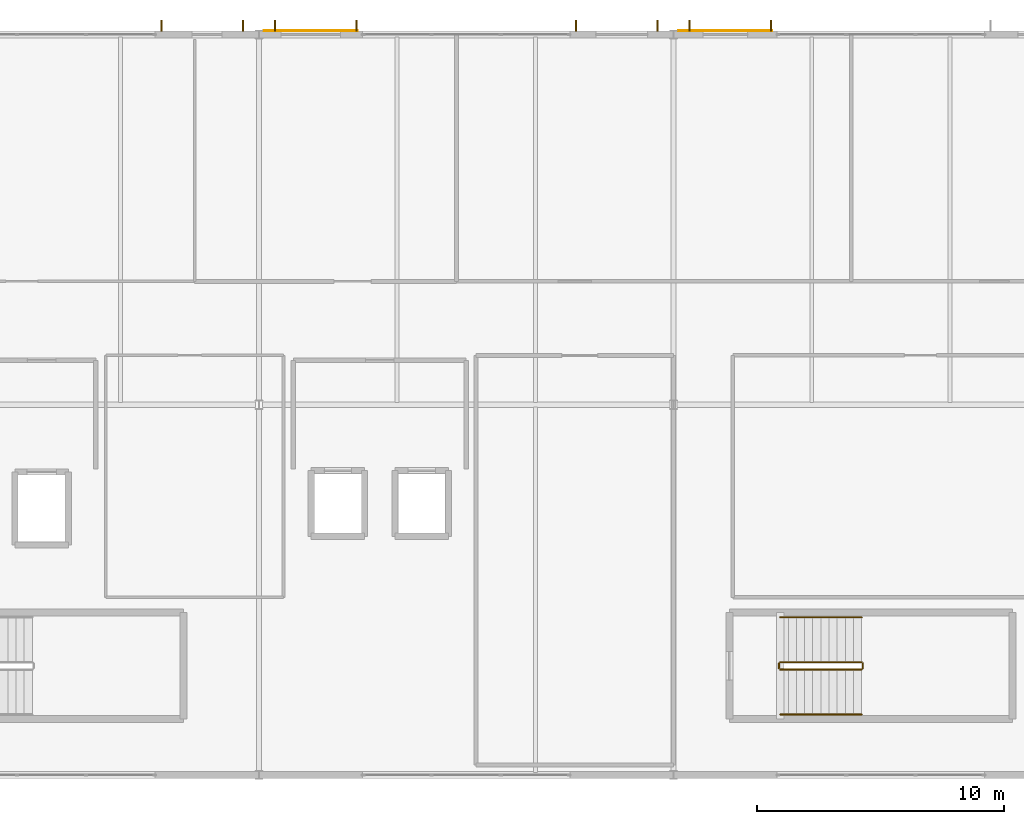
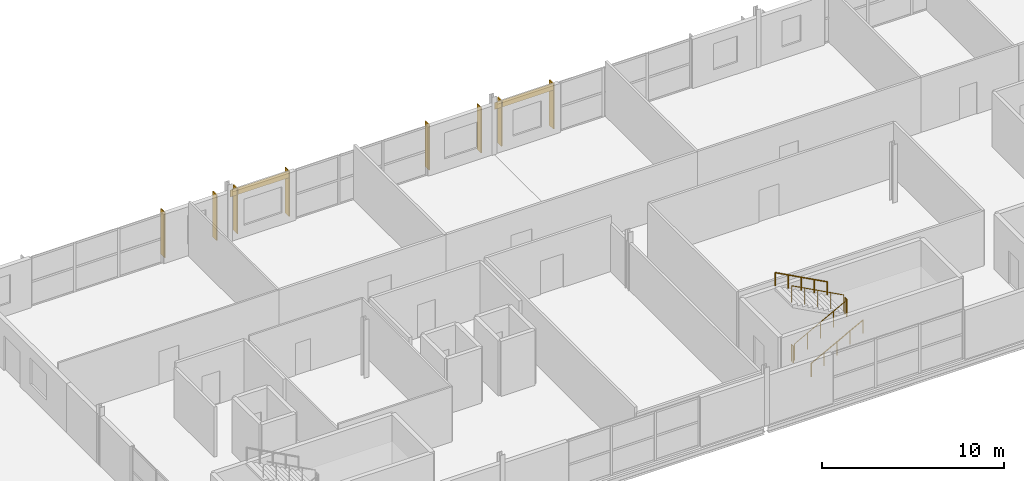
# One storey, part 17 of 18: 8 shading devices, 6 railings, 2 coverings.
"""IFC4 building model written with IfcOpenShell, lengths in metres."""

from ifc_helpers import new_model, si_unit, direction, frame, origin, origin_2d, place, context, subcontext, project, spatial, rectangle, circle, extrude, material, layer, layer_set, type_object, element, save


model = new_model("IFC4")

# Units and contexts
model_context = context("Model", 3, precision=1e-05, world=origin(), true_north=direction((0.0, 1.0)))
body_context = subcontext(model_context, "Body", "Model", "MODEL_VIEW")
ifc_project = project(units=[si_unit("LENGTHUNIT", "METRE"), si_unit("AREAUNIT", "SQUARE_METRE"), si_unit("VOLUMEUNIT", "CUBIC_METRE"), si_unit("PLANEANGLEUNIT", "RADIAN"), si_unit("MASSUNIT", "GRAM", prefix="KILO")], contexts=[model_context])

# Site, building, storey
site_placement = place(None, origin())
site = spatial("IfcSite", under=ifc_project, at=site_placement, CompositionType="ELEMENT")
building_placement = place(site_placement, origin())
building = spatial("IfcBuilding", under=site, at=building_placement, Name="Kimbaza Rail Terminus", CompositionType="ELEMENT")
storey_placement = place(building_placement, frame((0.0, 0.0, 24.89990234375)))
storey = spatial("IfcBuildingStorey", under=building, at=storey_placement, Name="L05", CompositionType="ELEMENT", Elevation=24.89990234375)

# Coverings
ifc_material_1 = material(Name="Champagne anodised aluminium spandrel cladding", Category="aluminium")
ifc_layer = layer(ifc_material_1, 0.034912109375)
ifc_layer_set = layer_set([ifc_layer], Name="Champagne anodised aluminium spandrel cladding")
covering_type = type_object("IfcCoveringType", Name="ARC-COV-CLD1", PredefinedType="CLADDING", material=ifc_layer_set)
for number, where, z_axis, x_axis, name in (
    (1, (90.89990234375, 133.156005859375, 2.77490234375), (0.0, 0.0, 1.0), (1.0, 0.0, 0.0), "North Spandrel Cladding L05 Bay 2"),
    (2, (107.699951171875, 133.156005859375, 2.77490234375), (0.0, 0.0, 1.0), (1.0, 0.0, 0.0), "North Spandrel Cladding L05 Bay 3"),
):
    element("IfcCovering", number, at=place(storey_placement, frame(where, z_axis=z_axis, x_axis=x_axis)), inside=storey, type_object=covering_type, Name=name, PredefinedType="CLADDING", context=body_context, shape_type="SweptSolid", body=[
        extrude(rectangle(XDim=3.800048828125, YDim=0.034912109375, at=origin_2d()), origin(), (0.0, 0.0, 1.0), 0.449951171875),
    ])

# Railings
ifc_material_2 = material(Name="Brushed stainless steel handrail", Category="steel")
railing_type_1 = type_object("IfcRailingType", Name="ARC-RL-HND92", PredefinedType="HANDRAIL", material=ifc_material_2)
railing_1_placement = place(storey_placement, frame((109.919921875, 105.449951171875, 0.177490234375)))
element("IfcRailing", 3, at=railing_1_placement, inside=storey, type_object=railing_type_1, Name="L05 ST-M1 stair handrail 1", PredefinedType="HANDRAIL", context=body_context, shape_type="SweptSolid", body=[
    extrude(circle(Radius=0.02392578125, at=origin_2d()), frame((0.0, 0.0, 0.8759765625), z_axis=(0.880943614595, 0.0, 0.473221246251), x_axis=(0.0, 1.0, 0.0)), (0.0, 0.0, 1.0), 3.74609375),
    extrude(circle(Radius=0.02099609375, at=origin_2d()), origin(), (0.0, 0.0, 1.0), 0.851806640625),
    extrude(circle(Radius=0.02099609375, at=origin_2d()), frame((0.824951171875, 0.0, 0.443115234375)), (0.0, 0.0, 1.0), 0.851806640625),
    extrude(circle(Radius=0.02099609375, at=origin_2d()), frame((1.64990234375, 0.0, 0.88623046875)), (0.0, 0.0, 1.0), 0.851806640625),
    extrude(circle(Radius=0.02099609375, at=origin_2d()), frame((2.47509765625, 0.0, 1.32958984375)), (0.0, 0.0, 1.0), 0.851806640625),
    extrude(circle(Radius=0.02099609375, at=origin_2d()), frame((3.300048828125, 0.0, 1.772705078125)), (0.0, 0.0, 1.0), 0.851806640625),
])
railing_2_placement = place(storey_placement, frame((113.219970703125, 109.389892578125, 2.12744140625)))
element("IfcRailing", 4, at=railing_2_placement, inside=storey, type_object=railing_type_1, Name="L05 ST-M1 stair handrail 2", PredefinedType="HANDRAIL", context=body_context, shape_type="SweptSolid", body=[
    extrude(circle(Radius=0.02392578125, at=origin_2d()), frame((0.0, 0.0, 0.8759765625), z_axis=(-0.880943614595, 0.0, 0.473221246251), x_axis=(0.0, -1.0, 0.0)), (0.0, 0.0, 1.0), 3.74609375),
    extrude(circle(Radius=0.02099609375, at=origin_2d()), origin(), (0.0, 0.0, 1.0), 0.851806640625),
    extrude(circle(Radius=0.02099609375, at=origin_2d()), frame((-0.824951171875, 0.0, 0.443115234375)), (0.0, 0.0, 1.0), 0.851806640625),
    extrude(circle(Radius=0.02099609375, at=origin_2d()), frame((-1.64990234375, 0.0, 0.88623046875)), (0.0, 0.0, 1.0), 0.851806640625),
    extrude(circle(Radius=0.02099609375, at=origin_2d()), frame((-2.47509765625, 0.0, 1.32958984375)), (0.0, 0.0, 1.0), 0.851806640625),
    extrude(circle(Radius=0.02099609375, at=origin_2d()), frame((-3.300048828125, 0.0, 1.772705078125)), (0.0, 0.0, 1.0), 0.851806640625),
])
ifc_material_3 = material(Name="Painted tubular steel stair well guard", Category="steel")
railing_type_2 = type_object("IfcRailingType", Name="ARC-RL-STGRD", PredefinedType="GUARDRAIL", material=ifc_material_3)
railing_3_placement = place(storey_placement, frame((109.919921875, 107.27001953125, 0.177490234375)))
element("IfcRailing", 5, at=railing_3_placement, inside=storey, type_object=railing_type_2, Name="L05 ST-M1 stair guard 1", PredefinedType="GUARDRAIL", context=body_context, shape_type="SweptSolid", body=[
    extrude(circle(Radius=0.02392578125, at=origin_2d()), frame((0.0, 0.0, 1.09619140625), z_axis=(0.880943614595, 0.0, 0.473221246251), x_axis=(0.0, 1.0, 0.0)), (0.0, 0.0, 1.0), 3.74609375),
    extrude(circle(Radius=0.02099609375, at=origin_2d()), origin(), (0.0, 0.0, 1.0), 1.072021484375),
    extrude(circle(Radius=0.02099609375, at=origin_2d()), frame((0.824951171875, 0.0, 0.443115234375)), (0.0, 0.0, 1.0), 1.072021484375),
    extrude(circle(Radius=0.02099609375, at=origin_2d()), frame((1.64990234375, 0.0, 0.88623046875)), (0.0, 0.0, 1.0), 1.072021484375),
    extrude(circle(Radius=0.02099609375, at=origin_2d()), frame((2.47509765625, 0.0, 1.32958984375)), (0.0, 0.0, 1.0), 1.072021484375),
    extrude(circle(Radius=0.02099609375, at=origin_2d()), frame((3.300048828125, 0.0, 1.772705078125)), (0.0, 0.0, 1.0), 1.072021484375),
])
railing_4_placement = place(storey_placement, frame((113.27001953125, 107.320068359375, 1.9501953125)))
element("IfcRailing", 6, at=railing_4_placement, inside=storey, type_object=railing_type_2, Name="L05 ST-M1 stair guard 2", PredefinedType="GUARDRAIL", context=body_context, shape_type="SweptSolid", body=[
    extrude(circle(Radius=0.02392578125, at=origin_2d()), frame((0.0, 0.0, 1.09619140625), z_axis=(0.0, 1.0, 0.0), x_axis=(-1.0, 0.0, 0.0)), (0.0, 0.0, 1.0), 0.199951171875),
    extrude(circle(Radius=0.02099609375, at=origin_2d()), origin(), (0.0, 0.0, 1.0), 1.072021484375),
    extrude(circle(Radius=0.02099609375, at=origin_2d()), frame((0.0, 0.199951171875, 0.0)), (0.0, 0.0, 1.0), 1.072021484375),
])
railing_5_placement = place(storey_placement, frame((113.219970703125, 107.570068359375, 2.12744140625)))
element("IfcRailing", 7, at=railing_5_placement, inside=storey, type_object=railing_type_2, Name="L05 ST-M1 stair guard 3", PredefinedType="GUARDRAIL", context=body_context, shape_type="SweptSolid", body=[
    extrude(circle(Radius=0.02392578125, at=origin_2d()), frame((0.0, 0.0, 1.09619140625), z_axis=(-0.880943614595, 0.0, 0.473221246251), x_axis=(0.0, -1.0, 0.0)), (0.0, 0.0, 1.0), 3.74609375),
    extrude(circle(Radius=0.02099609375, at=origin_2d()), origin(), (0.0, 0.0, 1.0), 1.072021484375),
    extrude(circle(Radius=0.02099609375, at=origin_2d()), frame((-0.824951171875, 0.0, 0.443115234375)), (0.0, 0.0, 1.0), 1.072021484375),
    extrude(circle(Radius=0.02099609375, at=origin_2d()), frame((-1.64990234375, 0.0, 0.88623046875)), (0.0, 0.0, 1.0), 1.072021484375),
    extrude(circle(Radius=0.02099609375, at=origin_2d()), frame((-2.47509765625, 0.0, 1.32958984375)), (0.0, 0.0, 1.0), 1.072021484375),
    extrude(circle(Radius=0.02099609375, at=origin_2d()), frame((-3.300048828125, 0.0, 1.772705078125)), (0.0, 0.0, 1.0), 1.072021484375),
])
railing_6_placement = place(storey_placement, frame((109.8701171875, 107.320068359375, 0.0)))
element("IfcRailing", 8, at=railing_6_placement, inside=storey, type_object=railing_type_2, Name="L05 ST-M1 stair guard 4", PredefinedType="GUARDRAIL", context=body_context, shape_type="SweptSolid", body=[
    extrude(circle(Radius=0.02392578125, at=origin_2d()), frame((0.0, 0.0, 1.09619140625), z_axis=(0.0, 1.0, 0.0), x_axis=(-1.0, 0.0, 0.0)), (0.0, 0.0, 1.0), 0.199951171875),
    extrude(circle(Radius=0.02099609375, at=origin_2d()), origin(), (0.0, 0.0, 1.0), 1.072021484375),
    extrude(circle(Radius=0.02099609375, at=origin_2d()), frame((0.0, 0.199951171875, 0.0)), (0.0, 0.0, 1.0), 1.072021484375),
])

# Shading devices
ifc_material_4 = material(Name="Champagne anodised extruded aluminium", Category="aluminium")
shading_device_type = type_object("IfcShadingDeviceType", Name="ARC-SHD-FIN450", PredefinedType="USERDEFINED", material=ifc_material_4)
for number, where, z_axis, x_axis, name in (
    (9, (84.85009765625, 133.363037109375, 0.14990234375), (0.0, 0.0, 1.0), (1.0, 0.0, 0.0), "North Solar Fin L05 Bay 1.3"),
    (10, (88.14990234375, 133.363037109375, 0.14990234375), (0.0, 0.0, 1.0), (1.0, 0.0, 0.0), "North Solar Fin L05 Bay 1.4"),
    (11, (89.449951171875, 133.363037109375, 0.14990234375), (0.0, 0.0, 1.0), (1.0, 0.0, 0.0), "North Solar Fin L05 Bay 2.1"),
    (12, (92.75, 133.363037109375, 0.14990234375), (0.0, 0.0, 1.0), (1.0, 0.0, 0.0), "North Solar Fin L05 Bay 2.2"),
    (13, (101.64990234375, 133.363037109375, 0.14990234375), (0.0, 0.0, 1.0), (1.0, 0.0, 0.0), "North Solar Fin L05 Bay 2.3"),
    (14, (104.949951171875, 133.363037109375, 0.14990234375), (0.0, 0.0, 1.0), (1.0, 0.0, 0.0), "North Solar Fin L05 Bay 2.4"),
    (15, (106.25, 133.363037109375, 0.14990234375), (0.0, 0.0, 1.0), (1.0, 0.0, 0.0), "North Solar Fin L05 Bay 3.1"),
    (16, (109.550048828125, 133.363037109375, 0.14990234375), (0.0, 0.0, 1.0), (1.0, 0.0, 0.0), "North Solar Fin L05 Bay 3.2"),
):
    element("IfcShadingDevice", number, at=place(storey_placement, frame(where, z_axis=z_axis, x_axis=x_axis)), inside=storey, type_object=shading_device_type, Name=name, ObjectType="BRISE SOLEIL FIN", PredefinedType="USERDEFINED", context=body_context, shape_type="SweptSolid", body=[
        extrude(rectangle(XDim=0.06494140625, YDim=0.449951171875, at=origin_2d()), origin(), (0.0, 0.0, 1.0), 3.050048828125),
    ])

save(model, "model.ifc")
